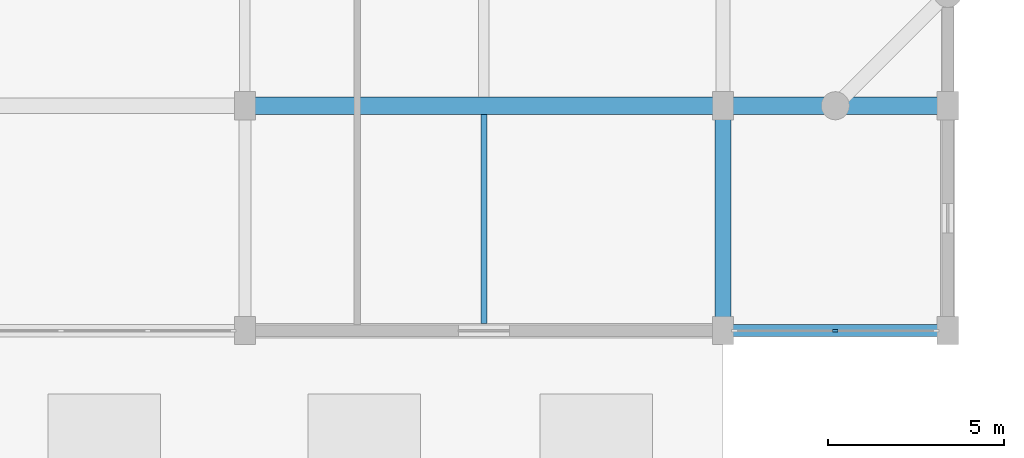
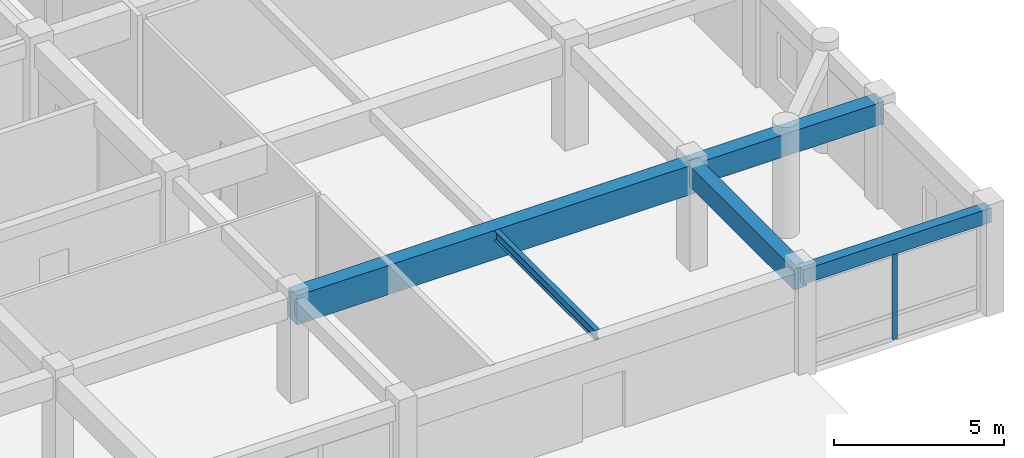
# One storey, part 6 of 20: 5 beams, 1 member, 1 element without a shape of its own.
"""IFC4 building model written with IfcOpenShell, lengths in metres."""

from ifc_helpers import new_model, si_unit, direction, frame, origin, origin_2d, place, context, subcontext, project, spatial, rectangle, i_section, extrude, material, material_profile, profile_set, type_object, element, aggregate, save


model = new_model("IFC4")

# Units and contexts
model_context = context("Model", 3, precision=1e-05, world=origin(), true_north=direction((0.0, 1.0)))
body_context = subcontext(model_context, "Body", "Model", "MODEL_VIEW")
ifc_project = project(units=[si_unit("LENGTHUNIT", "METRE"), si_unit("AREAUNIT", "SQUARE_METRE"), si_unit("VOLUMEUNIT", "CUBIC_METRE"), si_unit("PLANEANGLEUNIT", "RADIAN"), si_unit("MASSUNIT", "GRAM", prefix="KILO")], contexts=[model_context])

# Site, building, storey
site_placement = place(None, origin())
site = spatial("IfcSite", under=ifc_project, at=site_placement, CompositionType="ELEMENT")
building_placement = place(site_placement, origin())
building = spatial("IfcBuilding", under=site, at=building_placement, Name="Vellmiral Cinema and Media Centre", CompositionType="ELEMENT")
storey_placement = place(building_placement, frame((0.0, 0.0, 23.800048828125)))
storey = spatial("IfcBuildingStorey", under=building, at=storey_placement, Name="L05", CompositionType="ELEMENT", Elevation=23.800048828125)

# Beams
ifc_material_1 = material(Name="Concrete C40/50", Category="concrete")
ifc_material_profile_1 = material_profile(ifc_material_1, rectangle(XDim=0.449951171875, YDim=0.75, at=origin_2d()), Name="RC 450x750")
ifc_profile_set_1 = profile_set([ifc_material_profile_1], Name="Concrete C40/50")
beam_type_1 = type_object("IfcBeamType", Name="BM-RC-450x750", PredefinedType="BEAM", material=ifc_profile_set_1)
beam_1_placement = place(storey_placement, frame((161.60009765625, 65.60009765625, 3.320068359375), z_axis=(0.0, 1.0, 0.0), x_axis=(-1.0, 0.0, 0.0)))
element("IfcBeam", 1, at=beam_1_placement, inside=storey, type_object=beam_type_1, Name="Grid Beam L05-Y094", PredefinedType="BEAM", context=body_context, shape_type="SweptSolid", body=[
    extrude(rectangle(XDim=0.449951171875, YDim=0.75, at=origin_2d()), origin(), (0.0, 0.0, 1.0), 6.39990234375),
])
ifc_material_2 = material(Name="Concrete C40/50", Category="concrete")
ifc_material_profile_2 = material_profile(ifc_material_2, rectangle(XDim=0.5, YDim=0.800048828125, at=origin_2d()), Name="RC 500x800")
ifc_profile_set_2 = profile_set([ifc_material_profile_2], Name="Concrete C40/50")
beam_type_2 = type_object("IfcBeamType", Name="BM-RC-500x800", PredefinedType="BEAM", material=ifc_profile_set_2)
beam_2_placement = place(storey_placement, frame((161.60009765625, 72.0, 3.294921875), z_axis=(1.0, 0.0, 0.0), x_axis=(0.0, 1.0, 0.0)))
element("IfcBeam", 2, at=beam_2_placement, inside=storey, type_object=beam_type_2, Name="Grid Beam L05-X016", PredefinedType="BEAM", context=body_context, shape_type="SweptSolid", body=[
    extrude(rectangle(XDim=0.5, YDim=0.800048828125, at=origin_2d()), origin(), (0.0, 0.0, 1.0), 6.39990234375),
])
ifc_material_3 = material(Name="Concrete C40/50", Category="concrete")
ifc_material_profile_3 = material_profile(ifc_material_3, rectangle(XDim=0.5, YDim=1.050048828125, at=origin_2d()), Name="RC 500x1050")
ifc_profile_set_3 = profile_set([ifc_material_profile_3], Name="Concrete C40/50")
beam_type_3 = type_object("IfcBeamType", Name="BM-RCG-500x1050", PredefinedType="BEAM", material=ifc_profile_set_3)
beam_3_placement = place(storey_placement, frame((148.0, 72.0, 3.169921875), z_axis=(1.0, 0.0, 0.0), x_axis=(0.0, 1.0, 0.0)))
element("IfcBeam", 3, at=beam_3_placement, inside=storey, type_object=beam_type_3, Name="Grid Beam L05-X015", PredefinedType="BEAM", context=body_context, shape_type="SweptSolid", body=[
    extrude(rectangle(XDim=0.5, YDim=1.050048828125, at=origin_2d()), origin(), (0.0, 0.0, 1.0), 13.60009765625),
])

# Curtain wall, member
ifc_material_4 = material(Name="Thermally Broken Aluminium and Triple Glazing", Category="aluminium")
curtain_wall_type = type_object("IfcCurtainWallType", Name="CW-TOWER-LOW-S", PredefinedType="USERDEFINED", material=ifc_material_4)
curtain_wall_placement = place(storey_placement, origin())
curtain_wall = element("IfcCurtainWall", 4, at=curtain_wall_placement, inside=storey, type_object=curtain_wall_type, Name="Curtain Wall L05-B008", ObjectType="UNITISED CURTAIN WALL", PredefinedType="USERDEFINED")
ifc_material_5 = material(Name="Thermally Broken Anodised Aluminium", Category="aluminium")
ifc_material_profile_4 = material_profile(ifc_material_5, rectangle(XDim=0.06494140625, YDim=0.159912109375, at=origin_2d()), Name="MULL 65x160")
ifc_profile_set_4 = profile_set([ifc_material_profile_4], Name="Thermally Broken Anodised Aluminium")
member_type = type_object("IfcMemberType", Name="CWM-65x160", PredefinedType="MULLION", material=ifc_profile_set_4)
member_placement = place(storey_placement, frame((164.800048828125, 65.60009765625, 0.0), z_axis=(0.0, 0.0, 1.0), x_axis=(0.0, 1.0, 0.0)))
member = element("IfcMember", 5, at=member_placement, type_object=member_type, Name="CW-06 mullion 2", PredefinedType="MULLION", context=body_context, shape_type="SweptSolid", body=[
    extrude(rectangle(XDim=0.06494140625, YDim=0.159912109375, at=origin_2d()), origin(), (0.0, 0.0, 1.0), 3.099853515625),
])
aggregate(curtain_wall, [member])

# Beams
ifc_material_6 = material(Name="Steel S355", Category="steel")
ifc_material_profile_5 = material_profile(ifc_material_6, i_section(OverallWidth=0.169921875, OverallDepth=0.360107421875, WebThickness=0.008056640625, FlangeThickness=0.0126953125, FilletRadius=0.01806640625, at=origin_2d()), Name="IPE 360")
ifc_profile_set_5 = profile_set([ifc_material_profile_5], Name="Steel S355")
beam_type_4 = type_object("IfcBeamType", Name="SBM-IPE360", PredefinedType="JOIST", material=ifc_profile_set_5)
beam_4_placement = place(storey_placement, frame((154.800048828125, 65.81005859375, 3.514892578125), z_axis=(0.0, 1.0, 0.0), x_axis=(-1.0, 0.0, 0.0)))
element("IfcBeam", 6, at=beam_4_placement, inside=storey, type_object=beam_type_4, Name="Secondary Floor Joist L05-006", PredefinedType="JOIST", context=body_context, shape_type="SweptSolid", body=[
    extrude(i_section(OverallWidth=0.169921875, OverallDepth=0.360107421875, WebThickness=0.008056640625, FlangeThickness=0.0126953125, FilletRadius=0.01806640625, at=origin_2d()), origin(), (0.0, 0.0, 1.0), 5.93994140625),
])
ifc_material_7 = material(Name="Vosges Red Sandstone Masonry", Category="masonry")
ifc_material_profile_6 = material_profile(ifc_material_7, rectangle(XDim=0.340087890625, YDim=0.52001953125, at=origin_2d()), Name="SAND 340x520")
ifc_profile_set_6 = profile_set([ifc_material_profile_6], Name="Vosges Red Sandstone Masonry")
beam_type_5 = type_object("IfcBeamType", Name="SPD-SAND-340x520", PredefinedType="SPANDREL", material=ifc_profile_set_6)
beam_5_placement = place(storey_placement, frame((161.60009765625, 65.60009765625, 3.43505859375), z_axis=(1.0, 0.0, 0.0), x_axis=(0.0, 1.0, 0.0)))
element("IfcBeam", 7, at=beam_5_placement, inside=storey, type_object=beam_type_5, Name="Grid Beam L05-X008", PredefinedType="SPANDREL", context=body_context, shape_type="SweptSolid", body=[
    extrude(rectangle(XDim=0.340087890625, YDim=0.52001953125, at=origin_2d()), origin(), (0.0, 0.0, 1.0), 6.39990234375),
])

save(model, "model.ifc")
